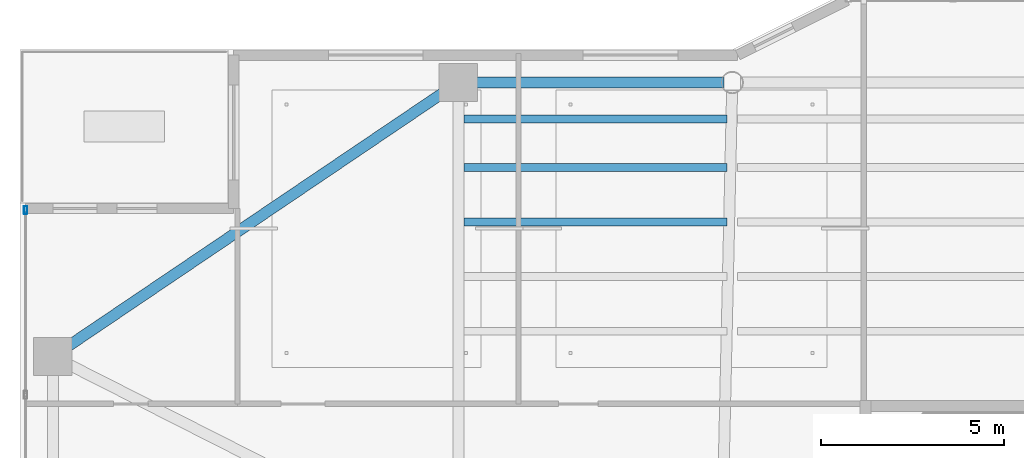
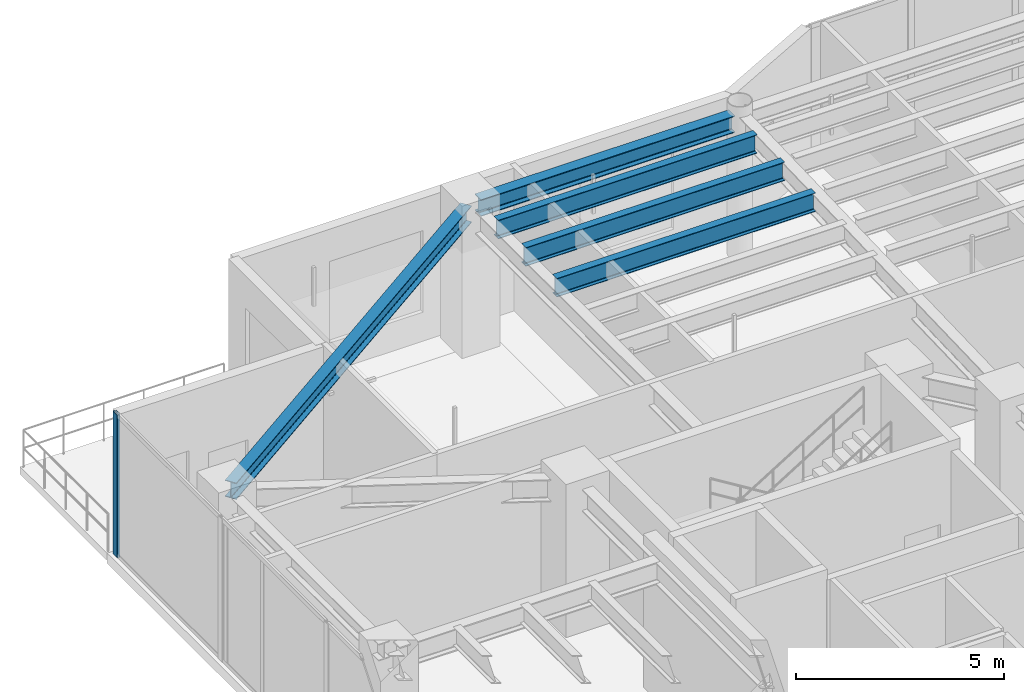
# One storey, part 21 of 37: 5 beams, 1 member, 1 element without a shape of its own.
"""IFC4 building model written with IfcOpenShell, lengths in metres."""

from ifc_helpers import new_model, si_unit, direction, frame, origin, origin_2d, place, context, subcontext, project, spatial, hollow_rectangle, i_section, extrude, material, layer, layer_set, material_profile, profile_set, type_object, element, aggregate, save


model = new_model("IFC4")

# Units and contexts
model_context = context("Model", 3, precision=1e-05, world=origin(), true_north=direction((0.0, 1.0)))
body_context = subcontext(model_context, "Body", "Model", "MODEL_VIEW")
ifc_project = project(units=[si_unit("LENGTHUNIT", "METRE"), si_unit("AREAUNIT", "SQUARE_METRE"), si_unit("VOLUMEUNIT", "CUBIC_METRE"), si_unit("PLANEANGLEUNIT", "RADIAN"), si_unit("MASSUNIT", "GRAM", prefix="KILO")], contexts=[model_context])

# Site, building, storey
site_placement = place(None, origin())
site = spatial("IfcSite", under=ifc_project, at=site_placement, CompositionType="ELEMENT")
building_placement = place(site_placement, origin())
building = spatial("IfcBuilding", under=site, at=building_placement, Name="Tarnavaz Court Tower", CompositionType="ELEMENT")
storey_placement = place(building_placement, frame((0.0, 0.0, 118.5)))
storey = spatial("IfcBuildingStorey", under=building, at=storey_placement, Name="L32", CompositionType="ELEMENT", Elevation=118.5)

# Beams
ifc_material_1 = material(Name="Steel S355", Category="steel")
ifc_material_profile_1 = material_profile(ifc_material_1, i_section(OverallWidth=0.2099609375, OverallDepth=0.550048828125, WebThickness=0.010986328125, FlangeThickness=0.01708984375, FilletRadius=0.02392578125, at=origin_2d()), Name="IPE 550")
ifc_profile_set_1 = profile_set([ifc_material_profile_1], Name="Steel S355")
beam_type_1 = type_object("IfcBeamType", Name="BM-J-IPE550", PredefinedType="JOIST", material=ifc_profile_set_1)
for number, where, z_axis, x_axis, name in (
    (1, (-14.85009765625, 17.48193359375, 3.925048828125), (1.0, 0.0, 0.0), (0.0, 1.0, 0.0), "L32 Beam JN3-1"),
    (2, (-14.85009765625, 18.97607421875, 3.925048828125), (1.0, 0.0, 0.0), (0.0, 1.0, 0.0), "L32 Beam JN4-1"),
    (3, (-14.85009765625, 20.303955078125, 3.925048828125), (1.0, 0.0, 0.0), (0.0, 1.0, 0.0), "L32 Beam JN5-1"),
):
    element("IfcBeam", number, at=place(storey_placement, frame(where, z_axis=z_axis, x_axis=x_axis)), inside=storey, type_object=beam_type_1, Name=name, PredefinedType="JOIST", context=body_context, shape_type="SweptSolid", body=[
        extrude(i_section(OverallWidth=0.2099609375, OverallDepth=0.550048828125, WebThickness=0.010986328125, FlangeThickness=0.01708984375, FilletRadius=0.02392578125, at=origin_2d()), origin(), (0.0, 0.0, 1.0), 7.2001953125),
    ])
ifc_material_profile_2 = material_profile(ifc_material_1, i_section(OverallWidth=0.300048828125, OverallDepth=0.489990234375, WebThickness=0.011962890625, FlangeThickness=0.02294921875, FilletRadius=0.027099609375, at=origin_2d()), Name="HEA 500")
ifc_profile_set_2 = profile_set([ifc_material_profile_2], Name="Steel S355")
beam_type_2 = type_object("IfcBeamType", Name="BM-SP-HEA500", PredefinedType="SPANDREL", material=ifc_profile_set_2)
beam_1_placement = place(storey_placement, frame((-14.780029296875, 21.300048828125, 3.955078125), z_axis=(1.0, 0.0, 0.0), x_axis=(0.0, 1.0, 0.0)))
element("IfcBeam", 4, at=beam_1_placement, inside=storey, type_object=beam_type_2, Name="L32 Beam PR-PN-1-PN-2", PredefinedType="SPANDREL", context=body_context, shape_type="SweptSolid", body=[
    extrude(i_section(OverallWidth=0.300048828125, OverallDepth=0.489990234375, WebThickness=0.011962890625, FlangeThickness=0.02294921875, FilletRadius=0.027099609375, at=origin_2d()), origin(), (0.0, 0.0, 1.0), 7.06005859375),
])
beam_2_placement = place(storey_placement, frame((-25.917724609375, 13.923095703125, 3.955078125), z_axis=(0.828587314918, 0.559859858854, 0.0), x_axis=(-0.559859858854, 0.828587314918, 0.0)))
element("IfcBeam", 5, at=beam_2_placement, inside=storey, type_object=beam_type_2, Name="L32 Beam PR-PW-4-PN-1", PredefinedType="SPANDREL", context=body_context, shape_type="SweptSolid", body=[
    extrude(i_section(OverallWidth=0.300048828125, OverallDepth=0.489990234375, WebThickness=0.011962890625, FlangeThickness=0.02294921875, FilletRadius=0.027099609375, at=origin_2d()), origin(), (0.0, 0.0, 1.0), 12.956298828125),
])

# Curtain wall, member
ifc_material_2 = material(Name="Anodised Aluminium 6063-T6 and Solar Low-E Glazing", Category="aluminium")
ifc_layer = layer(ifc_material_2, 0.199951171875)
ifc_layer_set = layer_set([ifc_layer], Name="Anodised Aluminium 6063-T6 and Solar Low-E Glazing")
curtain_wall_type = type_object("IfcCurtainWallType", Name="CW-SYS-05", PredefinedType="NOTDEFINED", material=ifc_layer_set)
curtain_wall_placement = place(storey_placement, origin())
curtain_wall = element("IfcCurtainWall", 6, at=curtain_wall_placement, inside=storey, type_object=curtain_wall_type, Name="L32 Sky-Portal Curtain Wall 2", PredefinedType="NOTDEFINED")
ifc_material_3 = material(Name="Anodised Aluminium 6063-T6", Category="aluminium")
ifc_material_profile_3 = material_profile(ifc_material_3, hollow_rectangle(XDim=0.0849609375, YDim=0.219970703125, WallThickness=0.006103515625, InnerFilletRadius=0.006103515625, OuterFilletRadius=0.011962890625, at=origin_2d()), Name="ALU RHS 220X85X6")
ifc_profile_set_3 = profile_set([ifc_material_profile_3], Name="Anodised Aluminium 6063-T6")
member_type = type_object("IfcMemberType", Name="CW-MUL-220", PredefinedType="MULLION", material=ifc_profile_set_3)
member_placement = place(storey_placement, frame((-26.85009765625, 17.8076171875, 0.0), z_axis=(0.0, 0.0, 1.0), x_axis=(-1.0, 0.0, 0.0)))
member = element("IfcMember", 7, at=member_placement, type_object=member_type, Name="CW mullion 8", PredefinedType="MULLION", context=body_context, shape_type="SweptSolid", body=[
    extrude(hollow_rectangle(XDim=0.0849609375, YDim=0.219970703125, WallThickness=0.006103515625, InnerFilletRadius=0.006103515625, OuterFilletRadius=0.011962890625, at=origin_2d()), origin(), (0.0, 0.0, 1.0), 4.199951171875),
])
aggregate(curtain_wall, [member])

save(model, "model.ifc")
